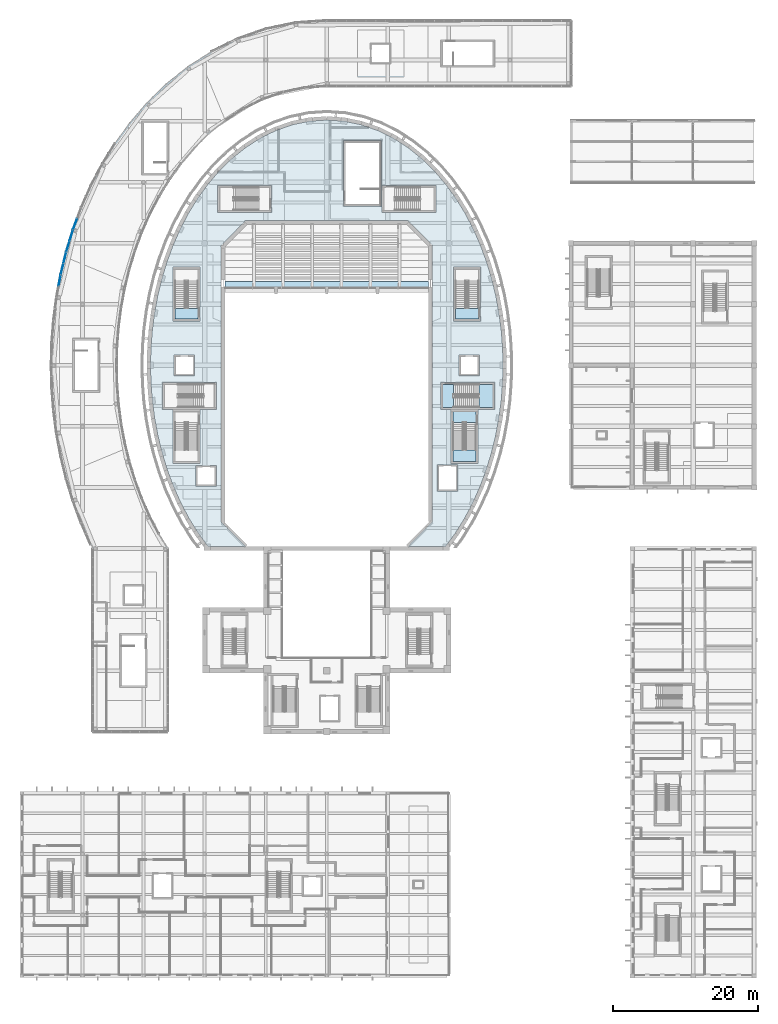
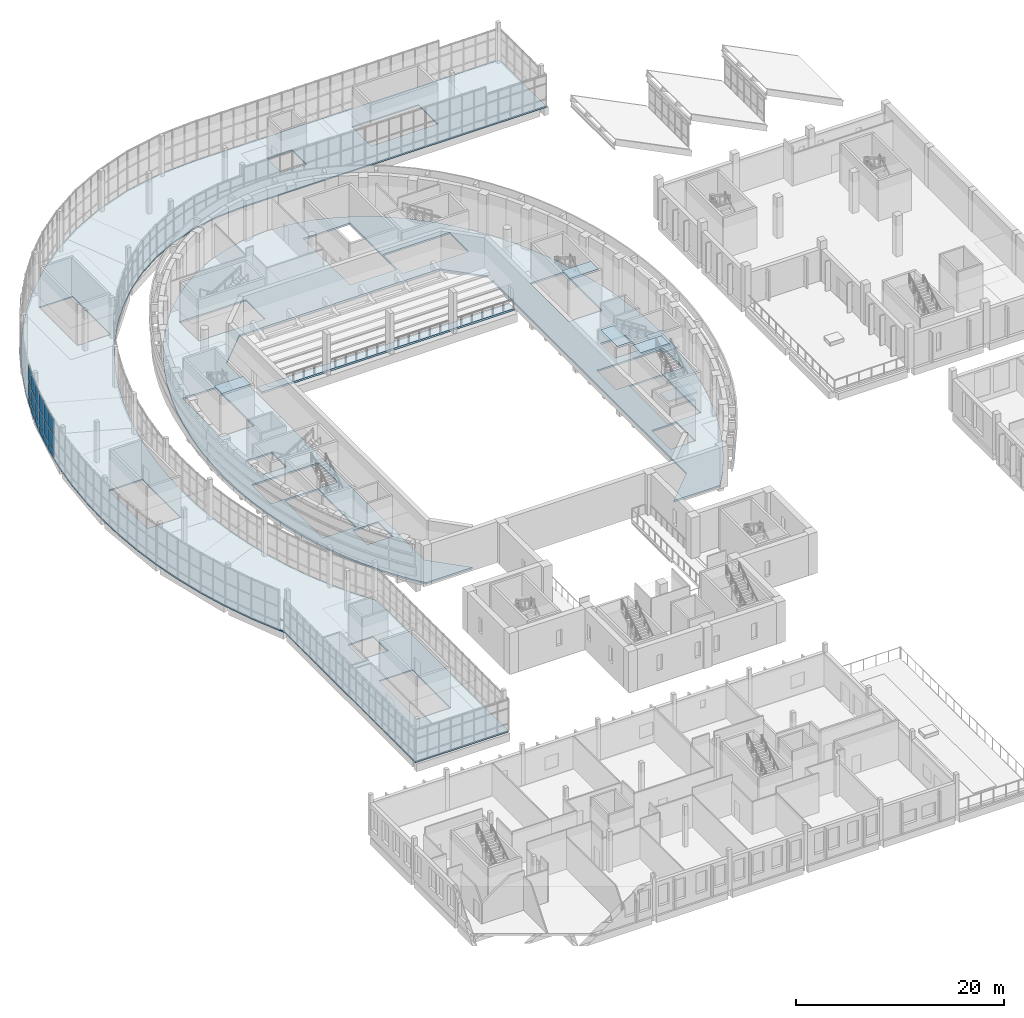
# One storey, part 41 of 103: 18 plates, 9 slabs, 8 elements without a shape of their own.
"""IFC4 building model written with IfcOpenShell, lengths in metres."""

from ifc_helpers import new_model, si_unit, direction, frame, origin, origin_2d, place, context, subcontext, project, spatial, polyline, rectangle, outline, extrude, material, layer, layer_set, type_object, element, aggregate, save


model = new_model("IFC4")

# Units and contexts
model_context = context("Model", 3, precision=1e-05, world=origin(), true_north=direction((0.0, 1.0)))
body_context = subcontext(model_context, "Body", "Model", "MODEL_VIEW")
ifc_project = project(units=[si_unit("LENGTHUNIT", "METRE"), si_unit("AREAUNIT", "SQUARE_METRE"), si_unit("VOLUMEUNIT", "CUBIC_METRE"), si_unit("PLANEANGLEUNIT", "RADIAN"), si_unit("MASSUNIT", "GRAM", prefix="KILO")], contexts=[model_context])

# Site, building, storey
site_placement = place(None, origin())
site = spatial("IfcSite", under=ifc_project, at=site_placement, CompositionType="ELEMENT")
building_placement = place(site_placement, origin())
building = spatial("IfcBuilding", under=site, at=building_placement, Name="Larchfold Concert Hall", CompositionType="ELEMENT")
storey_placement = place(building_placement, frame((0.0, 0.0, 9.60009765625)))
storey = spatial("IfcBuildingStorey", under=building, at=storey_placement, Name="L02", CompositionType="ELEMENT", Elevation=9.60009765625)

# Curtain wall, plates
ifc_material_1 = material(Name="Anodised graphite aluminium curtain wall", Category="aluminium")
ifc_layer_1 = layer(ifc_material_1, 0.14990234375)
ifc_layer_set_1 = layer_set([ifc_layer_1], Name="Anodised graphite aluminium curtain wall")
curtain_wall_type = type_object("IfcCurtainWallType", Name="Curtain wall WG", PredefinedType="NOTDEFINED", material=ifc_layer_set_1)
curtain_wall_1_placement = place(storey_placement, origin())
curtain_wall_1 = element("IfcCurtainWall", 1, at=curtain_wall_1_placement, inside=storey, type_object=curtain_wall_type, Name="Curtain wall CW0267", PredefinedType="NOTDEFINED")
ifc_material_2 = material(Name="Insulated glazing unit, glass", Category="glass")
ifc_layer_2 = layer(ifc_material_2, 0.028076171875)
ifc_layer_set_2 = layer_set([ifc_layer_2], Name="Insulated glazing unit, glass")
plate_type_1 = type_object("IfcPlateType", Name="Glass panel 28", PredefinedType="CURTAIN_PANEL", material=ifc_layer_set_2)
plate_1_placement = place(storey_placement, frame((7.97216796875, 104.008056640625, 0.93994140625), z_axis=(0.0, 0.0, 1.0), x_axis=(-0.346594033327, -0.938015232319, 0.0)))
plate_1 = element("IfcPlate", 2, at=plate_1_placement, type_object=plate_type_1, Name="CW0267 panel 2.2", PredefinedType="CURTAIN_PANEL", context=body_context, shape_type="SweptSolid", body=[
    extrude(rectangle(XDim=1.532958984375, YDim=0.028076171875, at=origin_2d()), origin(), (0.0, 0.0, 1.0), 1.719970703125),
])
plate_2_placement = place(storey_placement, frame((7.97216796875, 104.008056640625, 2.740234375), z_axis=(0.0, 0.0, 1.0), x_axis=(-0.346594033327, -0.938015232319, 0.0)))
plate_2 = element("IfcPlate", 3, at=plate_2_placement, type_object=plate_type_1, Name="CW0267 panel 2.3", PredefinedType="CURTAIN_PANEL", context=body_context, shape_type="SweptSolid", body=[
    extrude(rectangle(XDim=1.532958984375, YDim=0.028076171875, at=origin_2d()), origin(), (0.0, 0.0, 1.0), 1.829833984375),
])

curtain_wall_2_placement = place(storey_placement, origin())
curtain_wall_2 = element("IfcCurtainWall", 4, at=curtain_wall_2_placement, inside=storey, type_object=curtain_wall_type, Name="Curtain wall CW0268", PredefinedType="NOTDEFINED")
plate_3_placement = place(storey_placement, frame((7.4482421875, 102.45068359375, 0.93994140625), z_axis=(0.0, 0.0, 1.0), x_axis=(-0.290577369456, -0.956851499638, 0.0)))
plate_3 = element("IfcPlate", 5, at=plate_3_placement, type_object=plate_type_1, Name="CW0268 panel 1.2", PredefinedType="CURTAIN_PANEL", context=body_context, shape_type="SweptSolid", body=[
    extrude(rectangle(XDim=1.5146484375, YDim=0.028076171875, at=origin_2d()), origin(), (0.0, 0.0, 1.0), 1.719970703125),
])
plate_4_placement = place(storey_placement, frame((7.4482421875, 102.45068359375, 2.740234375), z_axis=(0.0, 0.0, 1.0), x_axis=(-0.290577369456, -0.956851499638, 0.0)))
plate_4 = element("IfcPlate", 6, at=plate_4_placement, type_object=plate_type_1, Name="CW0268 panel 1.3", PredefinedType="CURTAIN_PANEL", context=body_context, shape_type="SweptSolid", body=[
    extrude(rectangle(XDim=1.5146484375, YDim=0.028076171875, at=origin_2d()), origin(), (0.0, 0.0, 1.0), 1.829833984375),
])
plate_5_placement = place(storey_placement, frame((6.99072265625, 100.944091796875, 0.93994140625), z_axis=(0.0, 0.0, 1.0), x_axis=(-0.290577369456, -0.956851499638, 0.0)))
plate_5 = element("IfcPlate", 7, at=plate_5_placement, type_object=plate_type_1, Name="CW0268 panel 2.2", PredefinedType="CURTAIN_PANEL", context=body_context, shape_type="SweptSolid", body=[
    extrude(rectangle(XDim=1.5146484375, YDim=0.028076171875, at=origin_2d()), origin(), (0.0, 0.0, 1.0), 1.719970703125),
])
plate_6_placement = place(storey_placement, frame((6.99072265625, 100.944091796875, 2.740234375), z_axis=(0.0, 0.0, 1.0), x_axis=(-0.290577369456, -0.956851499638, 0.0)))
plate_6 = element("IfcPlate", 8, at=plate_6_placement, type_object=plate_type_1, Name="CW0268 panel 2.3", PredefinedType="CURTAIN_PANEL", context=body_context, shape_type="SweptSolid", body=[
    extrude(rectangle(XDim=1.5146484375, YDim=0.028076171875, at=origin_2d()), origin(), (0.0, 0.0, 1.0), 1.829833984375),
])

curtain_wall_3_placement = place(storey_placement, origin())
curtain_wall_3 = element("IfcCurtainWall", 9, at=curtain_wall_3_placement, inside=storey, type_object=curtain_wall_type, Name="Curtain wall CW0269", PredefinedType="NOTDEFINED")
plate_7_placement = place(storey_placement, frame((6.56201171875, 99.37451171875, 0.93994140625), z_axis=(0.0, 0.0, 1.0), x_axis=(-0.235938309687, -0.97176803509, 0.0)))
plate_7 = element("IfcPlate", 10, at=plate_7_placement, type_object=plate_type_1, Name="CW0269 panel 1.2", PredefinedType="CURTAIN_PANEL", context=body_context, shape_type="SweptSolid", body=[
    extrude(rectangle(XDim=1.50048828125, YDim=0.028076171875, at=origin_2d()), origin(), (0.0, 0.0, 1.0), 1.719970703125),
])
plate_8_placement = place(storey_placement, frame((6.56201171875, 99.37451171875, 2.740234375), z_axis=(0.0, 0.0, 1.0), x_axis=(-0.235938309687, -0.97176803509, 0.0)))
plate_8 = element("IfcPlate", 11, at=plate_8_placement, type_object=plate_type_1, Name="CW0269 panel 1.3", PredefinedType="CURTAIN_PANEL", context=body_context, shape_type="SweptSolid", body=[
    extrude(rectangle(XDim=1.50048828125, YDim=0.028076171875, at=origin_2d()), origin(), (0.0, 0.0, 1.0), 1.829833984375),
])
plate_9_placement = place(storey_placement, frame((6.19384765625, 97.858154296875, 0.93994140625), z_axis=(0.0, 0.0, 1.0), x_axis=(-0.235938309687, -0.97176803509, 0.0)))
plate_9 = element("IfcPlate", 12, at=plate_9_placement, type_object=plate_type_1, Name="CW0269 panel 2.2", PredefinedType="CURTAIN_PANEL", context=body_context, shape_type="SweptSolid", body=[
    extrude(rectangle(XDim=1.50048828125, YDim=0.028076171875, at=origin_2d()), origin(), (0.0, 0.0, 1.0), 1.719970703125),
])
plate_10_placement = place(storey_placement, frame((6.19384765625, 97.858154296875, 2.740234375), z_axis=(0.0, 0.0, 1.0), x_axis=(-0.235938309687, -0.97176803509, 0.0)))
plate_10 = element("IfcPlate", 13, at=plate_10_placement, type_object=plate_type_1, Name="CW0269 panel 2.3", PredefinedType="CURTAIN_PANEL", context=body_context, shape_type="SweptSolid", body=[
    extrude(rectangle(XDim=1.50048828125, YDim=0.028076171875, at=origin_2d()), origin(), (0.0, 0.0, 1.0), 1.829833984375),
])

curtain_wall_4_placement = place(storey_placement, origin())
curtain_wall_4 = element("IfcCurtainWall", 14, at=curtain_wall_4_placement, inside=storey, type_object=curtain_wall_type, Name="Curtain wall CW0270", PredefinedType="NOTDEFINED")
plate_11_placement = place(storey_placement, frame((5.85595703125, 96.27978515625, 0.93994140625), z_axis=(0.0, 0.0, 1.0), x_axis=(-0.182346675908, -0.983234300554, 0.0)))
plate_11 = element("IfcPlate", 15, at=plate_11_placement, type_object=plate_type_1, Name="CW0270 panel 1.2", PredefinedType="CURTAIN_PANEL", context=body_context, shape_type="SweptSolid", body=[
    extrude(rectangle(XDim=1.4892578125, YDim=0.028076171875, at=origin_2d()), origin(), (0.0, 0.0, 1.0), 1.719970703125),
])
plate_12_placement = place(storey_placement, frame((5.85595703125, 96.27978515625, 2.740234375), z_axis=(0.0, 0.0, 1.0), x_axis=(-0.182346675908, -0.983234300554, 0.0)))
plate_12 = element("IfcPlate", 16, at=plate_12_placement, type_object=plate_type_1, Name="CW0270 panel 1.3", PredefinedType="CURTAIN_PANEL", context=body_context, shape_type="SweptSolid", body=[
    extrude(rectangle(XDim=1.4892578125, YDim=0.028076171875, at=origin_2d()), origin(), (0.0, 0.0, 1.0), 1.829833984375),
])

# Plate
ifc_material_3 = material(Name="White insulated panel")
ifc_layer_3 = layer(ifc_material_3, 0.06005859375)
ifc_layer_set_3 = layer_set([ifc_layer_3], Name="White insulated panel")
plate_type_2 = type_object("IfcPlateType", Name="Insulated spandrel panel 60", PredefinedType="CURTAIN_PANEL", material=ifc_layer_set_3)
plate_13_placement = place(storey_placement, frame((7.97216796875, 104.008056640625, 0.080078125), z_axis=(0.0, 0.0, 1.0), x_axis=(-0.346594033327, -0.938015232319, 0.0)))
plate_13 = element("IfcPlate", 17, at=plate_13_placement, type_object=plate_type_2, Name="CW0267 panel 2.1", PredefinedType="CURTAIN_PANEL", context=body_context, shape_type="SweptSolid", body=[
    extrude(rectangle(XDim=1.532958984375, YDim=0.06005859375, at=origin_2d()), origin(), (0.0, 0.0, 1.0), 0.77978515625),
])

aggregate(curtain_wall_1, [plate_13, plate_1, plate_2])

plate_14_placement = place(storey_placement, frame((7.4482421875, 102.45068359375, 0.080078125), z_axis=(0.0, 0.0, 1.0), x_axis=(-0.290577369456, -0.956851499638, 0.0)))
plate_14 = element("IfcPlate", 18, at=plate_14_placement, type_object=plate_type_2, Name="CW0268 panel 1.1", PredefinedType="CURTAIN_PANEL", context=body_context, shape_type="SweptSolid", body=[
    extrude(rectangle(XDim=1.5146484375, YDim=0.06005859375, at=origin_2d()), origin(), (0.0, 0.0, 1.0), 0.77978515625),
])

plate_15_placement = place(storey_placement, frame((6.99072265625, 100.944091796875, 0.080078125), z_axis=(0.0, 0.0, 1.0), x_axis=(-0.290577369456, -0.956851499638, 0.0)))
plate_15 = element("IfcPlate", 19, at=plate_15_placement, type_object=plate_type_2, Name="CW0268 panel 2.1", PredefinedType="CURTAIN_PANEL", context=body_context, shape_type="SweptSolid", body=[
    extrude(rectangle(XDim=1.5146484375, YDim=0.06005859375, at=origin_2d()), origin(), (0.0, 0.0, 1.0), 0.77978515625),
])

aggregate(curtain_wall_2, [plate_14, plate_3, plate_4, plate_15, plate_5, plate_6])

plate_16_placement = place(storey_placement, frame((6.56201171875, 99.37451171875, 0.080078125), z_axis=(0.0, 0.0, 1.0), x_axis=(-0.235938309687, -0.97176803509, 0.0)))
plate_16 = element("IfcPlate", 20, at=plate_16_placement, type_object=plate_type_2, Name="CW0269 panel 1.1", PredefinedType="CURTAIN_PANEL", context=body_context, shape_type="SweptSolid", body=[
    extrude(rectangle(XDim=1.50048828125, YDim=0.06005859375, at=origin_2d()), origin(), (0.0, 0.0, 1.0), 0.77978515625),
])

plate_17_placement = place(storey_placement, frame((6.19384765625, 97.858154296875, 0.080078125), z_axis=(0.0, 0.0, 1.0), x_axis=(-0.235938309687, -0.97176803509, 0.0)))
plate_17 = element("IfcPlate", 21, at=plate_17_placement, type_object=plate_type_2, Name="CW0269 panel 2.1", PredefinedType="CURTAIN_PANEL", context=body_context, shape_type="SweptSolid", body=[
    extrude(rectangle(XDim=1.50048828125, YDim=0.06005859375, at=origin_2d()), origin(), (0.0, 0.0, 1.0), 0.77978515625),
])

aggregate(curtain_wall_3, [plate_16, plate_7, plate_8, plate_17, plate_9, plate_10])

plate_18_placement = place(storey_placement, frame((5.85595703125, 96.27978515625, 0.080078125), z_axis=(0.0, 0.0, 1.0), x_axis=(-0.182346675908, -0.983234300554, 0.0)))
plate_18 = element("IfcPlate", 22, at=plate_18_placement, type_object=plate_type_2, Name="CW0270 panel 1.1", PredefinedType="CURTAIN_PANEL", context=body_context, shape_type="SweptSolid", body=[
    extrude(rectangle(XDim=1.4892578125, YDim=0.06005859375, at=origin_2d()), origin(), (0.0, 0.0, 1.0), 0.77978515625),
])

aggregate(curtain_wall_4, [plate_18, plate_11, plate_12])

# Slabs
ifc_material_4 = material(Name="Concrete C35/45", Category="concrete")
ifc_layer_4 = layer(ifc_material_4, 0.14990234375)
ifc_layer_set_4 = layer_set([ifc_layer_4], Name="Concrete C35/45")
slab_type_1 = type_object("IfcSlabType", Name="Slab 150 on joists", PredefinedType="FLOOR", material=ifc_layer_set_4)
slab_1_placement = place(storey_placement, frame((0.0, 0.0, -0.150146484375)))
element("IfcSlab", 23, at=slab_1_placement, inside=storey, type_object=slab_type_1, Name="Slab S0008", PredefinedType="FLOOR", context=body_context, shape_type="SweptSolid", body=[
    extrude(outline(polyline([(20.748779296875, 34.199951171875), (20.748779296875, 59.39990234375), (19.5185546875, 61.3994140625), (18.2529296875, 63.821044921875), (17.15625, 66.303955078125), (16.22021484375, 68.8369140625), (15.43896484375, 71.40966796875), (14.806884765625, 74.01318359375), (14.319580078125, 76.64013671875), (13.973876953125, 79.2841796875), (13.767333984375, 81.939453125), (13.69873046875, 84.60009765625), (13.767333984375, 87.2607421875), (13.973876953125, 89.916015625), (14.319580078125, 92.56005859375), (14.806884765625, 95.18701171875), (15.43896484375, 97.79052734375), (16.22021484375, 100.36328125), (17.15625, 102.896240234375), (18.2529296875, 105.379150390625), (19.5185546875, 107.80078125), (20.961669921875, 110.145751953125), (22.591552734375, 112.39599609375), (24.41748046875, 114.52783203125), (26.4482421875, 116.513427734375), (28.689697265625, 118.3173828125), (31.140625, 119.8974609375), (33.79150390625, 121.204833984375), (36.61669921875, 122.18896484375), (39.57275390625, 122.802001953125), (42.60009765625, 123.010498046875), (76.199951171875, 123.0), (76.199951171875, 132.0), (42.60009765625, 132.0), (38.343994140625, 131.738525390625), (34.212890625, 130.8818359375), (30.3076171875, 129.521728515625), (26.697509765625, 127.740966796875), (23.41552734375, 125.62548828125), (20.466796875, 123.252197265625), (17.841064453125, 120.6845703125), (15.517822265625, 117.972412109375), (13.47412109375, 115.151123046875), (11.688232421875, 112.2490234375), (10.139892578125, 109.285888671875), (8.810791015625, 106.277587890625), (7.685791015625, 103.23291015625), (6.753173828125, 100.161865234375), (6.002685546875, 97.07080078125), (5.4267578125, 93.96533203125), (5.01904296875, 90.84912109375), (4.7763671875, 87.725830078125), (4.695556640625, 84.60009765625), (4.7763671875, 81.474365234375), (5.01904296875, 78.35107421875), (5.4267578125, 75.23486328125), (6.002685546875, 72.12939453125), (6.753173828125, 69.038330078125), (7.685791015625, 65.96728515625), (8.810791015625, 62.922607421875), (10.139892578125, 59.914306640625), (10.408447265625, 59.39990234375), (10.408447265625, 34.199951171875), (20.748779296875, 34.199951171875)]), holes=[polyline([(14.14990234375, 40.300048828125), (14.14990234375, 47.699951171875), (17.85009765625, 47.699951171875), (17.85009765625, 40.300048828125), (14.14990234375, 40.300048828125)]), polyline([(14.60009765625, 54.39990234375), (17.39990234375, 54.39990234375), (17.39990234375, 51.60009765625), (14.60009765625, 51.60009765625), (14.60009765625, 54.39990234375)]), polyline([(7.64990234375, 88.300048828125), (11.35009765625, 88.300048828125), (11.35009765625, 80.89990234375), (7.64990234375, 80.89990234375), (7.64990234375, 88.300048828125)]), polyline([(17.14990234375, 110.800048828125), (17.14990234375, 118.199951171875), (20.85009765625, 118.199951171875), (20.85009765625, 110.800048828125), (17.14990234375, 110.800048828125)]), polyline([(48.60009765625, 128.89990234375), (51.39990234375, 128.89990234375), (51.39990234375, 126.10009765625), (48.60009765625, 126.10009765625), (48.60009765625, 128.89990234375)]), polyline([(58.300048828125, 129.35009765625), (65.699951171875, 129.35009765625), (65.699951171875, 125.64990234375), (58.300048828125, 125.64990234375), (58.300048828125, 129.35009765625)])]), origin(), (0.0, 0.0, 1.0), 0.150146484375),
])
ifc_material_5 = material(Name="Concrete C35/45", Category="concrete")
ifc_layer_5 = layer(ifc_material_5, 0.199951171875)
ifc_layer_set_5 = layer_set([ifc_layer_5], Name="Concrete C35/45")
slab_type_2 = type_object("IfcSlabType", Name="Slab 200", PredefinedType="FLOOR", material=ifc_layer_set_5)
slab_2_placement = place(storey_placement, frame((0.0, 0.0, -0.2001953125)))
element("IfcSlab", 24, at=slab_2_placement, inside=storey, type_object=slab_type_2, Name="Slab S0007", PredefinedType="FLOOR", context=body_context, shape_type="SweptSolid", body=[
    extrude(outline(polyline([(24.913818359375, 61.515380859375), (26.27978515625, 59.64990234375), (31.45751953125, 59.64990234375), (28.078857421875, 63.02880859375), (28.070068359375, 101.10009765625), (31.478759765625, 104.521240234375), (53.699951171875, 104.530029296875), (57.121337890625, 101.121337890625), (57.130126953125, 63.050048828125), (53.742431640625, 59.64990234375), (58.92041015625, 59.64990234375), (60.286376953125, 61.515380859375), (61.56884765625, 63.580078125), (62.703125, 65.731201171875), (63.69287109375, 67.953369140625), (64.541748046875, 70.234375), (65.253662109375, 72.562255859375), (65.83203125, 74.927490234375), (66.27880859375, 77.321533203125), (66.5966796875, 79.736328125), (66.786865234375, 82.164794921875), (66.85009765625, 84.60009765625), (66.78759765625, 87.020263671875), (66.599853515625, 89.433837890625), (66.285888671875, 91.833984375), (65.844482421875, 94.2138671875), (65.273681640625, 96.5654296875), (64.570556640625, 98.88037109375), (63.732177734375, 101.149169921875), (62.75537109375, 103.360595703125), (61.635986328125, 105.502685546875), (60.3701171875, 107.5595703125), (58.953857421875, 109.514892578125), (57.384765625, 111.3466796875), (55.661376953125, 113.03173828125), (53.78564453125, 114.541748046875), (51.763671875, 115.844970703125), (49.60888671875, 116.907958984375), (47.34130859375, 117.697509765625), (44.992431640625, 118.1845703125), (42.60009765625, 118.349609375), (40.207763671875, 118.1845703125), (37.85888671875, 117.697509765625), (35.59130859375, 116.907958984375), (33.4365234375, 115.844970703125), (31.41455078125, 114.541748046875), (29.538818359375, 113.03173828125), (27.8154296875, 111.3466796875), (26.246337890625, 109.514892578125), (24.830078125, 107.5595703125), (23.564208984375, 105.502685546875), (22.44482421875, 103.360595703125), (21.468017578125, 101.149169921875), (20.629638671875, 98.88037109375), (19.926513671875, 96.5654296875), (19.355712890625, 94.2138671875), (18.914306640625, 91.833984375), (18.600341796875, 89.433837890625), (18.41259765625, 87.020263671875), (18.35009765625, 84.60009765625), (18.413330078125, 82.164794921875), (18.603515625, 79.736328125), (18.92138671875, 77.321533203125), (19.3681640625, 74.927490234375), (19.946533203125, 72.562255859375), (20.658447265625, 70.234375), (21.50732421875, 67.953369140625), (22.4970703125, 65.731201171875), (23.63134765625, 63.580078125), (24.913818359375, 61.515380859375)]), holes=[polyline([(24.60009765625, 70.800048828125), (27.39990234375, 70.800048828125), (27.39990234375, 68.0), (24.60009765625, 68.0), (24.60009765625, 70.800048828125)]), polyline([(25.14990234375, 78.5), (25.14990234375, 71.10009765625), (21.449951171875, 71.10009765625), (21.449951171875, 78.5), (25.14990234375, 78.5)]), polyline([(27.39990234375, 82.25), (27.39990234375, 78.550048828125), (20.0, 78.550048828125), (20.0, 82.25), (27.39990234375, 82.25)]), polyline([(21.60009765625, 86.0), (24.39990234375, 86.0), (24.39990234375, 83.199951171875), (21.60009765625, 83.199951171875), (21.60009765625, 86.0)]), polyline([(25.14990234375, 98.10009765625), (25.14990234375, 90.699951171875), (21.449951171875, 90.699951171875), (21.449951171875, 98.10009765625), (25.14990234375, 98.10009765625)]), polyline([(35.0, 109.35009765625), (35.0, 105.64990234375), (27.60009765625, 105.64990234375), (27.60009765625, 109.35009765625), (35.0, 109.35009765625)]), polyline([(44.89990234375, 115.5), (50.10009765625, 115.5), (50.10009765625, 106.5), (44.89990234375, 106.5), (44.89990234375, 115.5)]), polyline([(60.60009765625, 70.89990234375), (60.60009765625, 67.300048828125), (57.800048828125, 67.300048828125), (57.800048828125, 70.89990234375), (60.60009765625, 70.89990234375)]), polyline([(63.39990234375, 78.5), (63.39990234375, 71.10009765625), (59.699951171875, 71.10009765625), (59.699951171875, 78.5), (63.39990234375, 78.5)]), polyline([(65.699951171875, 82.25), (65.699951171875, 78.550048828125), (58.300048828125, 78.550048828125), (58.300048828125, 82.25), (65.699951171875, 82.25)]), polyline([(63.60009765625, 86.0), (63.60009765625, 83.199951171875), (60.800048828125, 83.199951171875), (60.800048828125, 86.0), (63.60009765625, 86.0)]), polyline([(63.75, 98.10009765625), (63.75, 90.699951171875), (60.050048828125, 90.699951171875), (60.050048828125, 98.10009765625), (63.75, 98.10009765625)]), polyline([(57.60009765625, 109.35009765625), (57.60009765625, 105.64990234375), (50.199951171875, 105.64990234375), (50.199951171875, 109.35009765625), (57.60009765625, 109.35009765625)])]), origin(), (0.0, 0.0, 1.0), 0.2001953125),
])
ifc_material_6 = material(Name="Precast concrete C40/50", Category="concrete")
ifc_layer_6 = layer(ifc_material_6, 0.219970703125)
ifc_layer_set_6 = layer_set([ifc_layer_6], Name="Precast concrete C40/50")
slab_type_3 = type_object("IfcSlabType", Name="Slab 220 hall tier tread", PredefinedType="FLOOR", material=ifc_layer_set_6)
slab_3_placement = place(storey_placement, frame((0.0, 0.0, -0.22021484375)))
element("IfcSlab", 25, at=slab_3_placement, inside=storey, type_object=slab_type_3, Name="Tread T1-01", PredefinedType="FLOOR", context=body_context, shape_type="SweptSolid", body=[
    extrude(outline(polyline([(56.60009765625, 96.14990234375), (28.60009765625, 96.14990234375), (28.60009765625, 95.199951171875), (56.60009765625, 95.199951171875), (56.60009765625, 96.14990234375)])), origin(), (0.0, 0.0, 1.0), 0.22021484375),
])

# Stair, slab
ifc_material_7 = material(Name="Concrete C35/45", Category="concrete")
stair_type = type_object("IfcStairType", Name="Stair RC half-turn enclosed", PredefinedType="HALF_TURN_STAIR", material=ifc_material_7)
stair_1_placement = place(storey_placement, origin())
stair_1 = element("IfcStair", 26, at=stair_1_placement, inside=storey, type_object=stair_type, Name="Stair DS1", PredefinedType="HALF_TURN_STAIR")
ifc_material_8 = material(Name="Concrete C35/45", Category="concrete")
ifc_layer_7 = layer(ifc_material_8, 0.199951171875)
ifc_layer_set_7 = layer_set([ifc_layer_7], Name="Concrete C35/45")
slab_type_4 = type_object("IfcSlabType", Name="Stair landing RC 200", PredefinedType="LANDING", material=ifc_layer_set_7)
slab_4_placement = place(storey_placement, frame((0.0, 0.0, 4.599853515625)))
slab_4 = element("IfcSlab", 27, at=slab_4_placement, type_object=slab_type_4, Name="ST01 landing 2", PredefinedType="LANDING", context=body_context, shape_type="SweptSolid", body=[
    extrude(outline(polyline([(63.5, 90.949951171875), (63.5, 92.449951171875), (60.300048828125, 92.449951171875), (60.300048828125, 90.949951171875), (63.5, 90.949951171875)])), origin(), (0.0, 0.0, 1.0), 0.199951171875),
])
aggregate(stair_1, [slab_4])

stair_2_placement = place(storey_placement, origin())
stair_2 = element("IfcStair", 28, at=stair_2_placement, inside=storey, type_object=stair_type, Name="Stair DS4", PredefinedType="HALF_TURN_STAIR")
slab_5_placement = place(storey_placement, frame((0.0, 0.0, 4.599853515625)))
slab_5 = element("IfcSlab", 29, at=slab_5_placement, type_object=slab_type_4, Name="ST04 landing 2", PredefinedType="LANDING", context=body_context, shape_type="SweptSolid", body=[
    extrude(outline(polyline([(24.89990234375, 90.949951171875), (24.89990234375, 92.449951171875), (21.699951171875, 92.449951171875), (21.699951171875, 90.949951171875), (24.89990234375, 90.949951171875)])), origin(), (0.0, 0.0, 1.0), 0.199951171875),
])
aggregate(stair_2, [slab_5])

# Stair, slabs
stair_3_placement = place(storey_placement, origin())
stair_3 = element("IfcStair", 30, at=stair_3_placement, inside=storey, type_object=stair_type, Name="Stair DS6", PredefinedType="HALF_TURN_STAIR")
slab_6_placement = place(storey_placement, frame((0.0, 0.0, 2.199951171875)))
slab_6 = element("IfcSlab", 31, at=slab_6_placement, type_object=slab_type_4, Name="ST06 landing 1", PredefinedType="LANDING", context=body_context, shape_type="SweptSolid", body=[
    extrude(outline(polyline([(59.949951171875, 72.969970703125), (59.949951171875, 71.35009765625), (63.14990234375, 71.35009765625), (63.14990234375, 72.969970703125), (59.949951171875, 72.969970703125)])), origin(), (0.0, 0.0, 1.0), 0.199951171875),
])
slab_7_placement = place(storey_placement, frame((0.0, 0.0, 4.599853515625)))
slab_7 = element("IfcSlab", 32, at=slab_7_placement, type_object=slab_type_4, Name="ST06 landing 2", PredefinedType="LANDING", context=body_context, shape_type="SweptSolid", body=[
    extrude(outline(polyline([(59.949951171875, 78.25), (59.949951171875, 76.75), (63.14990234375, 76.75), (63.14990234375, 78.25), (59.949951171875, 78.25)])), origin(), (0.0, 0.0, 1.0), 0.199951171875),
])
aggregate(stair_3, [slab_6, slab_7])

stair_4_placement = place(storey_placement, origin())
stair_4 = element("IfcStair", 33, at=stair_4_placement, inside=storey, type_object=stair_type, Name="Stair DS8", PredefinedType="HALF_TURN_STAIR")
slab_8_placement = place(storey_placement, frame((0.0, 0.0, 2.199951171875)))
slab_8 = element("IfcSlab", 34, at=slab_8_placement, type_object=slab_type_4, Name="ST08 landing 1", PredefinedType="LANDING", context=body_context, shape_type="SweptSolid", body=[
    extrude(outline(polyline([(63.56005859375, 78.800048828125), (65.449951171875, 78.800048828125), (65.449951171875, 82.0), (63.56005859375, 82.0), (63.56005859375, 78.800048828125)])), origin(), (0.0, 0.0, 1.0), 0.199951171875),
])
slab_9_placement = place(storey_placement, frame((0.0, 0.0, 4.599853515625)))
slab_9 = element("IfcSlab", 35, at=slab_9_placement, type_object=slab_type_4, Name="ST08 landing 2", PredefinedType="LANDING", context=body_context, shape_type="SweptSolid", body=[
    extrude(outline(polyline([(58.550048828125, 78.800048828125), (60.050048828125, 78.800048828125), (60.050048828125, 82.0), (58.550048828125, 82.0), (58.550048828125, 78.800048828125)])), origin(), (0.0, 0.0, 1.0), 0.199951171875),
])
aggregate(stair_4, [slab_8, slab_9])

save(model, "model.ifc")
